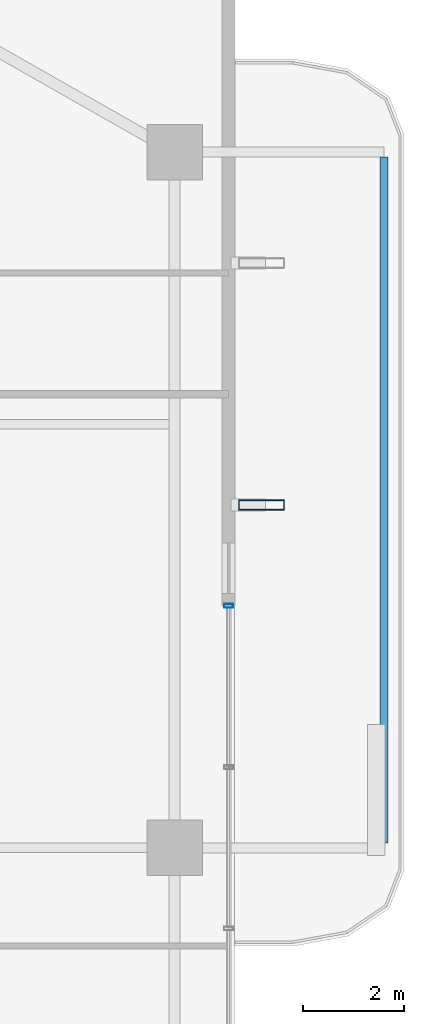
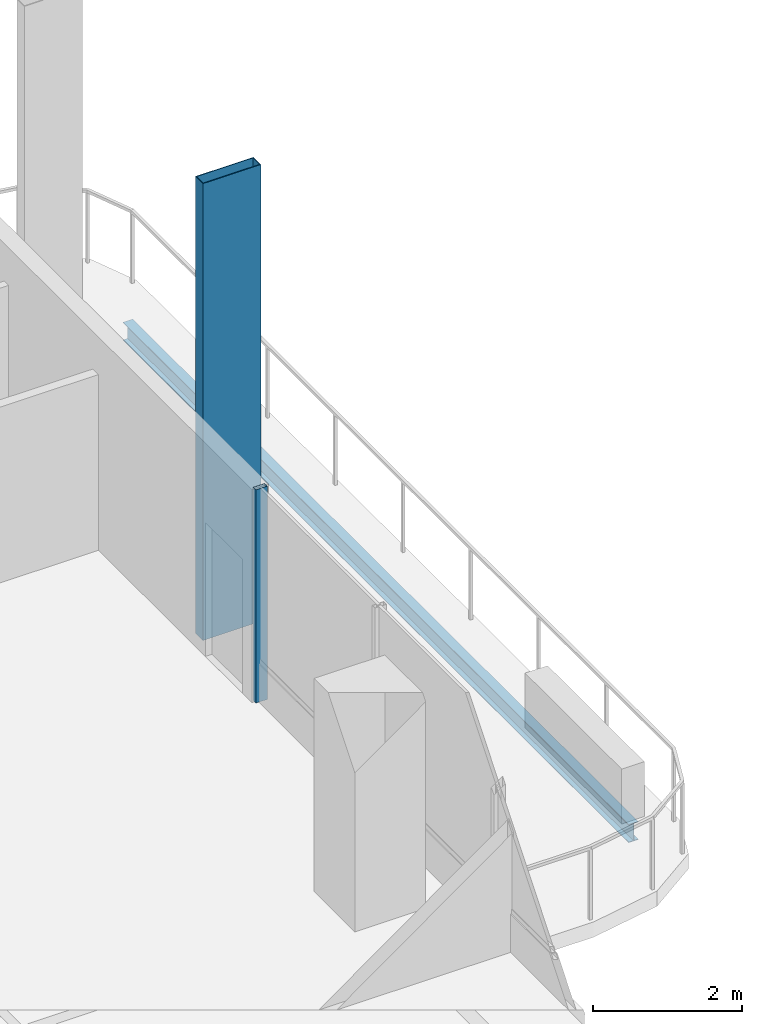
# One storey, part 13 of 24: 2 members, 1 beam, 1 element without a shape of its own.
"""IFC4 building model written with IfcOpenShell, lengths in metres."""

from ifc_helpers import new_model, si_unit, direction, frame, origin, origin_2d, place, context, subcontext, project, spatial, hollow_rectangle, i_section, extrude, material, layer, layer_set, material_profile, profile_set, type_object, element, aggregate, save


model = new_model("IFC4")

# Units and contexts
model_context = context("Model", 3, precision=1e-05, world=origin(), true_north=direction((0.0, 1.0)))
body_context = subcontext(model_context, "Body", "Model", "MODEL_VIEW")
ifc_project = project(units=[si_unit("LENGTHUNIT", "METRE"), si_unit("AREAUNIT", "SQUARE_METRE"), si_unit("VOLUMEUNIT", "CUBIC_METRE"), si_unit("PLANEANGLEUNIT", "RADIAN"), si_unit("MASSUNIT", "GRAM", prefix="KILO")], contexts=[model_context])

# Site, building, storey
site_placement = place(None, origin())
site = spatial("IfcSite", under=ifc_project, at=site_placement, CompositionType="ELEMENT")
building_placement = place(site_placement, origin())
building = spatial("IfcBuilding", under=site, at=building_placement, Name="Belovzor Exchange Tower", CompositionType="ELEMENT")
storey_placement = place(building_placement, frame((0.0, 0.0, 203.699951171875)))
storey = spatial("IfcBuildingStorey", under=building, at=storey_placement, Name="L50", CompositionType="ELEMENT", Elevation=203.699951171875)

# Beam
ifc_material_1 = material(Name="Steel S355", Category="steel")
ifc_material_profile_1 = material_profile(ifc_material_1, i_section(OverallWidth=0.14990234375, OverallDepth=0.300048828125, WebThickness=0.007080078125, FlangeThickness=0.0107421875, at=origin_2d()))
ifc_profile_set_1 = profile_set([ifc_material_profile_1], Name="Steel S355")
beam_type = type_object("IfcBeamType", Name="Planted Balcony Fascia Edge Beam IPE 300", PredefinedType="BEAM", material=ifc_profile_set_1)
beam_placement = place(storey_placement, frame((58.7529296875, 28.89990234375, -0.39990234375), z_axis=(0.0, 1.0, 0.0), x_axis=(-1.0, 0.0, 0.0)))
element("IfcBeam", 1, at=beam_placement, inside=storey, type_object=beam_type, Name="BC-300 Planted Balcony Fascia Edge Beam IPE 300", PredefinedType="BEAM", context=body_context, shape_type="SweptSolid", body=[
    extrude(i_section(OverallWidth=0.14990234375, OverallDepth=0.300048828125, WebThickness=0.007080078125, FlangeThickness=0.0107421875, at=origin_2d()), origin(), (0.0, 0.0, 1.0), 13.60009765625),
])

# Member
ifc_material_2 = material(Name="Extruded Architectural Terracotta on Steel S355 Carrier", Category="masonry")
ifc_material_profile_2 = material_profile(ifc_material_2, hollow_rectangle(XDim=0.199951171875, YDim=0.89990234375, WallThickness=0.011962890625, at=origin_2d()))
ifc_profile_set_2 = profile_set([ifc_material_profile_2], Name="Extruded Architectural Terracotta on Steel S355 Carrier")
member_type_1 = type_object("IfcMemberType", Name="Sweeping Terracotta Baguette Fin Assembly 950", PredefinedType="USERDEFINED", material=ifc_profile_set_2)
member_1_placement = place(storey_placement, frame((56.324951171875, 35.60009765625, -0.25), z_axis=(0.0, 0.0, 1.0), x_axis=(0.0, 1.0, 0.0)))
element("IfcMember", 2, at=member_1_placement, inside=storey, type_object=member_type_1, Name="FIN-TC095 Terracotta Facade Fin L50 E3", ObjectType="FIN", PredefinedType="USERDEFINED", context=body_context, shape_type="SweptSolid", body=[
    extrude(hollow_rectangle(XDim=0.199951171875, YDim=0.89990234375, WallThickness=0.011962890625, at=origin_2d()), origin(), (0.0, 0.0, 1.0), 7.5),
])

# Curtain wall, member
ifc_material_3 = material(Name="Anodised Aluminium Framing", Category="aluminium")
ifc_layer = layer(ifc_material_3, 0.179931640625)
ifc_layer_set = layer_set([ifc_layer], Name="Anodised Aluminium Framing")
curtain_wall_type = type_object("IfcCurtainWallType", Name="Recessed Loggia Low-Iron Triple-Glazed Curtain Wall", PredefinedType="NOTDEFINED", material=ifc_layer_set)
curtain_wall_placement = place(storey_placement, origin())
curtain_wall = element("IfcCurtainWall", 3, at=curtain_wall_placement, inside=storey, type_object=curtain_wall_type, Name="CW3 Recessed Loggia Low-Iron Triple-Glazed Curtain Wall L50", PredefinedType="NOTDEFINED")
ifc_material_4 = material(Name="Steel S355", Category="steel")
ifc_material_profile_3 = material_profile(ifc_material_4, hollow_rectangle(XDim=0.074951171875, YDim=0.179931640625, WallThickness=0.0048828125, at=origin_2d()))
ifc_profile_set_3 = profile_set([ifc_material_profile_3], Name="Steel S355")
member_type_2 = type_object("IfcMemberType", Name="Thermally Broken Curtain Wall Mullion 180x75", PredefinedType="MULLION", material=ifc_profile_set_3)
member_2_placement = place(storey_placement, frame((55.669921875, 33.60009765625, 0.0), z_axis=(0.0, 0.0, 1.0), x_axis=(0.0, -1.0, 0.0)))
member_2 = element("IfcMember", 4, at=member_2_placement, type_object=member_type_2, Name="CW-M180 Curtain Wall Mullion 1", PredefinedType="MULLION", context=body_context, shape_type="SweptSolid", body=[
    extrude(hollow_rectangle(XDim=0.074951171875, YDim=0.179931640625, WallThickness=0.0048828125, at=origin_2d()), origin(), (0.0, 0.0, 1.0), 3.5),
])
aggregate(curtain_wall, [member_2])

save(model, "model.ifc")
